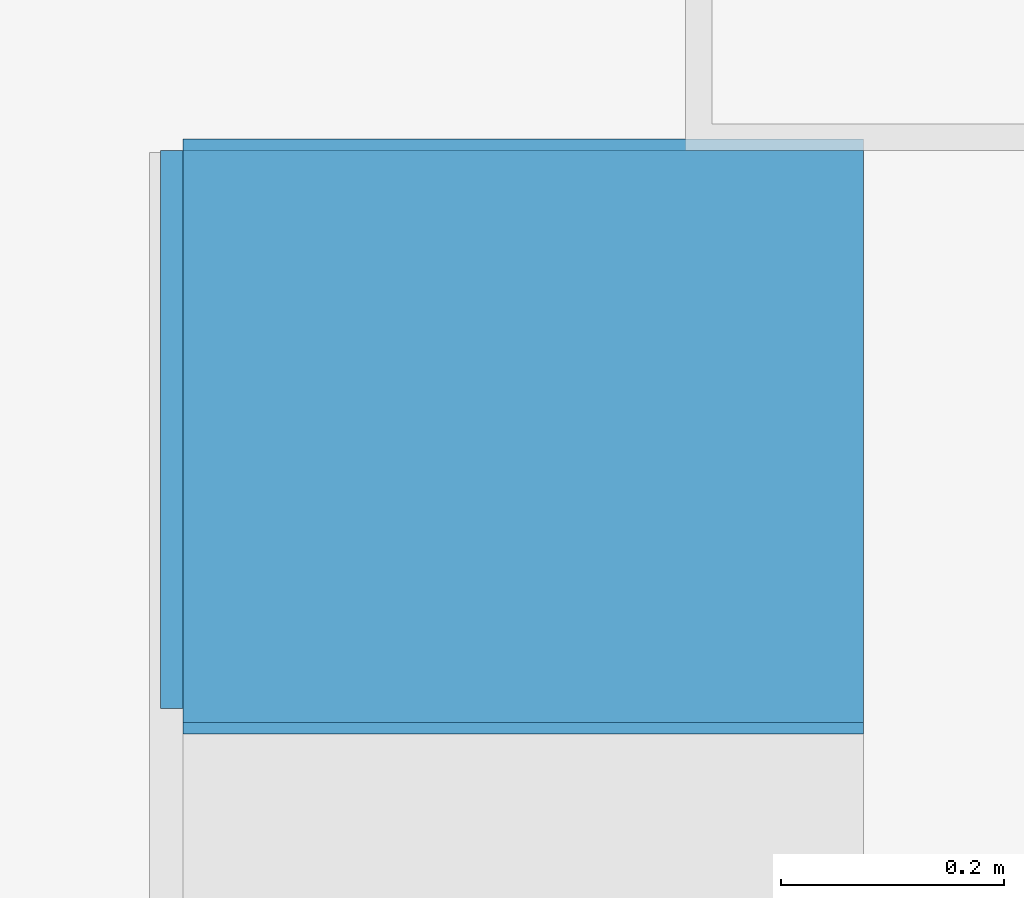
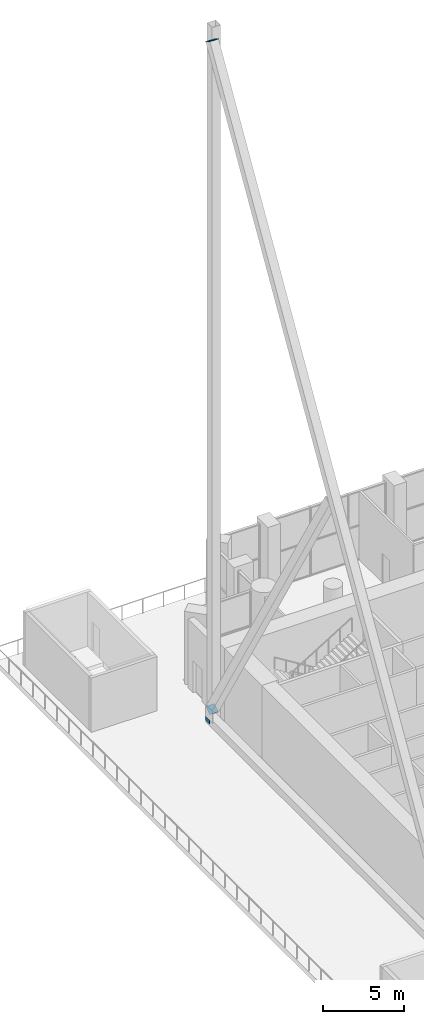
# One storey, part 19 of 26: 3 discrete accessories.
"""IFC4 building model written with IfcOpenShell, lengths in metres."""

from ifc_helpers import new_model, si_unit, direction, frame, origin, origin_2d, place, context, subcontext, project, spatial, rectangle, extrude, material, material_profile, profile_set, type_object, element, save


model = new_model("IFC4")

# Units and contexts
model_context = context("Model", 3, precision=1e-05, world=origin(), true_north=direction((0.0, 1.0)))
body_context = subcontext(model_context, "Body", "Model", "MODEL_VIEW")
ifc_project = project(units=[si_unit("LENGTHUNIT", "METRE"), si_unit("AREAUNIT", "SQUARE_METRE"), si_unit("VOLUMEUNIT", "CUBIC_METRE"), si_unit("PLANEANGLEUNIT", "RADIAN"), si_unit("MASSUNIT", "GRAM", prefix="KILO")], contexts=[model_context])

# Site, building, storey
site_placement = place(None, origin())
site = spatial("IfcSite", under=ifc_project, at=site_placement, CompositionType="ELEMENT")
building_placement = place(site_placement, origin())
building = spatial("IfcBuilding", under=site, at=building_placement, Name="Cypress Arch Tower", CompositionType="ELEMENT")
storey_placement = place(building_placement, frame((0.0, 0.0, 50.0)))
storey = spatial("IfcBuildingStorey", under=building, at=storey_placement, Name="L06", CompositionType="ELEMENT", Elevation=50.0)

# Discrete accessories
ifc_material_1 = material(Name="Steel ASTM A992", Category="steel")
ifc_material_profile_1 = material_profile(ifc_material_1, rectangle(XDim=0.609619140625, YDim=0.609619140625, at=origin_2d()), Name="PL 20 610x610")
ifc_profile_set_1 = profile_set([ifc_material_profile_1], Name="Steel ASTM A992")
discrete_accessory_type_1 = type_object("IfcDiscreteAccessoryType", Name="End cap plate 610x610x20 Steel ASTM A992", PredefinedType="ANCHORPLATE", material=ifc_profile_set_1)
for number, where, z_axis, x_axis, name in (
    (1, (-30.7548828125, 15.03369140625, 51.55615234375), (0.0, 0.514495755428, 0.857492925713), (-1.0, 0.0, 0.0), "End cap plate west bracing 1"),
    (2, (-30.7548828125, 15.03369140625, 1.048583984375), (0.0, 0.514495755428, -0.857492925713), (-1.0, 0.0, 0.0), "End cap plate west bracing 1"),
):
    element("IfcDiscreteAccessory", number, at=place(storey_placement, frame(where, z_axis=z_axis, x_axis=x_axis)), inside=storey, type_object=discrete_accessory_type_1, Name=name, PredefinedType="ANCHORPLATE", context=body_context, shape_type="SweptSolid", body=[
        extrude(rectangle(XDim=0.609619140625, YDim=0.609619140625, at=origin_2d()), origin(), (0.0, 0.0, 1.0), 0.02001953125),
    ])
ifc_material_2 = material(Name="Steel ASTM A992", Category="steel")
ifc_material_profile_2 = material_profile(ifc_material_2, rectangle(XDim=0.5, YDim=0.300048828125, at=origin_2d()), Name="PL 20 500x300")
ifc_profile_set_2 = profile_set([ifc_material_profile_2], Name="Steel ASTM A992")
discrete_accessory_type_2 = type_object("IfcDiscreteAccessoryType", Name="West bracing chord end plate 500x300x20 Steel ASTM A992", PredefinedType="ANCHORPLATE", material=ifc_profile_set_2)
discrete_accessory_placement = place(storey_placement, frame((-31.0595703125, 15.045166015625, 0.3046875), z_axis=(-1.0, 0.0, 0.0), x_axis=(0.0, -1.0, 0.0)))
element("IfcDiscreteAccessory", 3, at=discrete_accessory_placement, inside=storey, type_object=discrete_accessory_type_2, Name="End plate west bracing chord 1N", PredefinedType="ANCHORPLATE", context=body_context, shape_type="SweptSolid", body=[
    extrude(rectangle(XDim=0.5, YDim=0.300048828125, at=origin_2d()), origin(), (0.0, 0.0, 1.0), 0.02001953125),
])

save(model, "model.ifc")
